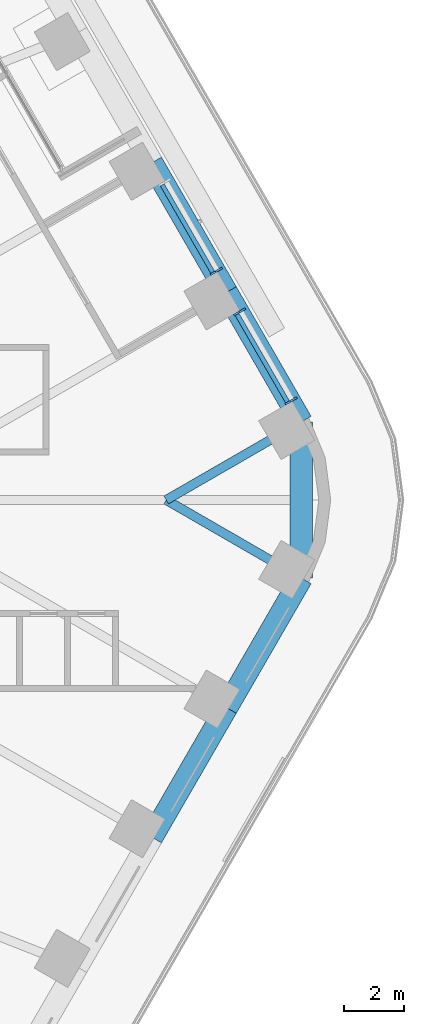
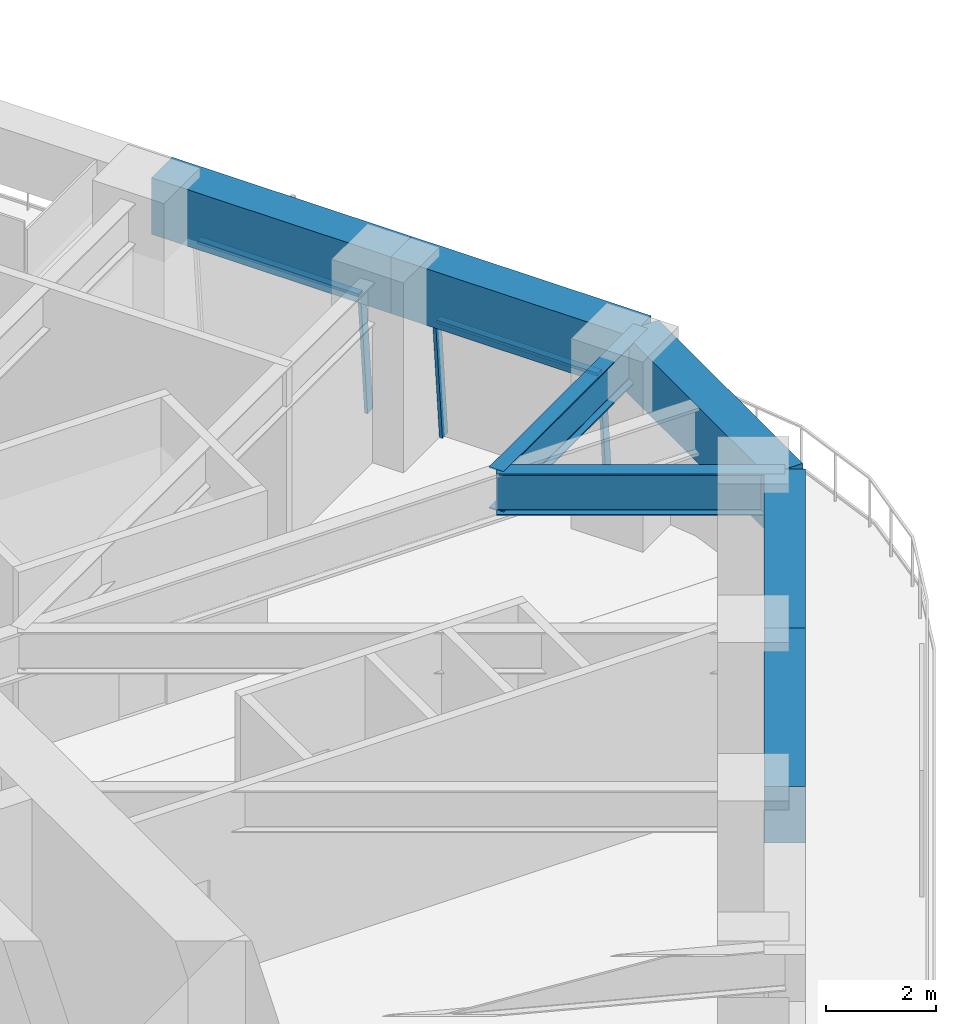
# One storey, part 14 of 24: 7 beams, 5 members, 2 elements without a shape of their own.
"""IFC4 building model written with IfcOpenShell, lengths in metres."""

from ifc_helpers import new_model, si_unit, direction, frame, origin, origin_2d, place, context, subcontext, project, spatial, rectangle, i_section, extrude, material, material_profile, profile_set, type_object, element, aggregate, save


model = new_model("IFC4")

# Units and contexts
model_context = context("Model", 3, precision=1e-05, world=origin(), true_north=direction((0.0, 1.0)))
body_context = subcontext(model_context, "Body", "Model", "MODEL_VIEW")
ifc_project = project(units=[si_unit("LENGTHUNIT", "METRE"), si_unit("AREAUNIT", "SQUARE_METRE"), si_unit("VOLUMEUNIT", "CUBIC_METRE"), si_unit("PLANEANGLEUNIT", "RADIAN"), si_unit("MASSUNIT", "GRAM", prefix="KILO")], contexts=[model_context])

# Site, building, storey
site_placement = place(None, origin())
site = spatial("IfcSite", under=ifc_project, at=site_placement, CompositionType="ELEMENT")
building_placement = place(site_placement, origin())
building = spatial("IfcBuilding", under=site, at=building_placement, Name="Tarfa Lantern Tower", CompositionType="ELEMENT")
storey_placement = place(building_placement, frame((0.0, 0.0, 195.10009765625)))
storey = spatial("IfcBuildingStorey", under=building, at=storey_placement, Name="L44", CompositionType="ELEMENT", Elevation=195.10009765625)

# Curtain wall, members
ifc_material_1 = material(Name="Aluminium framed curtain wall", Category="aluminium")
curtain_wall_type = type_object("IfcCurtainWallType", Name="CW2 CANTED GLAZING MID ZONE 2750", PredefinedType="USERDEFINED", material=ifc_material_1)
curtain_wall_1_placement = place(storey_placement, origin())
curtain_wall_1 = element("IfcCurtainWall", 1, at=curtain_wall_1_placement, inside=storey, type_object=curtain_wall_type, Name="CW2 NE L44", ObjectType="CURTAIN WALL", PredefinedType="USERDEFINED")
ifc_material_2 = material(Name="Aluminium mullion", Category="aluminium")
ifc_material_profile_1 = material_profile(ifc_material_2, rectangle(XDim=0.06494140625, YDim=0.199951171875, at=origin_2d()), Name="AL MULLION 65x200")
ifc_profile_set_1 = profile_set([ifc_material_profile_1], Name="Aluminium mullion")
member_type_1 = type_object("IfcMemberType", Name="CWM1 MULLION 65x200", PredefinedType="MULLION", material=ifc_profile_set_1)
member_1_placement = place(storey_placement, frame((34.3076171875, 3.377685546875, 0.0), z_axis=(-0.078422950161, -0.045267813396, 0.995891894715), x_axis=(0.499919672301, -0.866071776036, 0.0)))
member_1 = element("IfcMember", 2, at=member_1_placement, type_object=member_type_1, Name="CW2 mullion 1", PredefinedType="MULLION", context=body_context, shape_type="SweptSolid", body=[
    extrude(rectangle(XDim=0.06494140625, YDim=0.199951171875, at=origin_2d()), origin(), (0.0, 0.0, 1.0), 2.76123046875),
])
member_2_placement = place(storey_placement, frame((32.588134765625, 6.355712890625, 0.0), z_axis=(-0.078422950161, -0.045267813396, 0.995891894715), x_axis=(0.499919672301, -0.866071776036, 0.0)))
member_2 = element("IfcMember", 3, at=member_2_placement, type_object=member_type_1, Name="CW2 mullion 2", PredefinedType="MULLION", context=body_context, shape_type="SweptSolid", body=[
    extrude(rectangle(XDim=0.06494140625, YDim=0.199951171875, at=origin_2d()), origin(), (0.0, 0.0, 1.0), 2.76123046875),
])

# Curtain wall, member
curtain_wall_2_placement = place(storey_placement, origin())
curtain_wall_2 = element("IfcCurtainWall", 4, at=curtain_wall_2_placement, inside=storey, type_object=curtain_wall_type, Name="CW2 NE L44", ObjectType="CURTAIN WALL", PredefinedType="USERDEFINED")
member_3_placement = place(storey_placement, frame((31.8056640625, 7.7109375, 0.0), z_axis=(-0.078422950161, -0.045267813396, 0.995891894715), x_axis=(0.499919672301, -0.866071776036, 0.0)))
member_3 = element("IfcMember", 5, at=member_3_placement, type_object=member_type_1, Name="CW2 mullion 1", PredefinedType="MULLION", context=body_context, shape_type="SweptSolid", body=[
    extrude(rectangle(XDim=0.06494140625, YDim=0.199951171875, at=origin_2d()), origin(), (0.0, 0.0, 1.0), 2.76123046875),
])

# Member
ifc_material_3 = material(Name="Aluminium transom", Category="aluminium")
ifc_material_profile_2 = material_profile(ifc_material_3, rectangle(XDim=0.14990234375, YDim=0.06494140625, at=origin_2d()), Name="AL TRANSOM 150x65")
ifc_profile_set_2 = profile_set([ifc_material_profile_2], Name="Aluminium transom")
member_type_2 = type_object("IfcMemberType", Name="CWT1 TRANSOM 150x65", PredefinedType="USERDEFINED", material=ifc_profile_set_2)
member_4_placement = place(storey_placement, frame((34.077392578125, 3.2822265625, 2.71728515625), z_axis=(-0.500014760403, 0.866016881694, 0.0), x_axis=(-0.866016881694, -0.500014760403, 0.0)))
member_4 = element("IfcMember", 6, at=member_4_placement, type_object=member_type_2, Name="CW2 transom 1.2", ObjectType="TRANSOM", PredefinedType="USERDEFINED", context=body_context, shape_type="SweptSolid", body=[
    extrude(rectangle(XDim=0.14990234375, YDim=0.06494140625, at=origin_2d()), origin(), (0.0, 0.0, 1.0), 3.3740234375),
])

aggregate(curtain_wall_1, [member_1, member_2, member_4])

member_5_placement = place(storey_placement, frame((31.575439453125, 7.61572265625, 2.71728515625), z_axis=(-0.499991822116, 0.866030125237, 0.0), x_axis=(-0.866030125237, -0.499991822116, 0.0)))
member_5 = element("IfcMember", 7, at=member_5_placement, type_object=member_type_2, Name="CW2 transom 1.2", ObjectType="TRANSOM", PredefinedType="USERDEFINED", context=body_context, shape_type="SweptSolid", body=[
    extrude(rectangle(XDim=0.14990234375, YDim=0.06494140625, at=origin_2d()), origin(), (0.0, 0.0, 1.0), 3.37353515625),
])

aggregate(curtain_wall_2, [member_3, member_5])

# Beams
ifc_material_4 = material(Name="Concrete C80/95", Category="concrete")
ifc_material_profile_3 = material_profile(ifc_material_4, rectangle(XDim=0.75, YDim=1.25, at=origin_2d()), Name="RC 750x1250")
ifc_profile_set_3 = profile_set([ifc_material_profile_3], Name="Concrete C80/95")
beam_type_1 = type_object("IfcBeamType", Name="EB2 RC 750x1250", PredefinedType="SPANDREL", material=ifc_profile_set_3)
for number, where, z_axis, x_axis, name in (
    (8, (34.54296875, 2.610107421875, 3.375), (-0.500022324899, 0.866012514114, 0.0), (-0.866012514114, -0.500022324899, 0.0), "Edge beam NE0"),
    (9, (32.041015625, 6.943359375, 3.375), (-0.500022324899, 0.866012514114, 0.0), (-0.866012514114, -0.500022324899, 0.0), "Edge beam NE1"),
    (10, (29.5390625, -11.276611328125, 3.375), (0.500022324899, 0.866012514114, 0.0), (-0.866012514114, 0.500022324899, 0.0), "Edge beam SE4"),
    (11, (32.041015625, -6.943359375, 3.375), (0.500022324899, 0.866012514114, 0.0), (-0.866012514114, 0.500022324899, 0.0), "Edge beam SE5"),
):
    element("IfcBeam", number, at=place(storey_placement, frame(where, z_axis=z_axis, x_axis=x_axis)), inside=storey, type_object=beam_type_1, Name=name, PredefinedType="SPANDREL", context=body_context, shape_type="SweptSolid", body=[
        extrude(rectangle(XDim=0.75, YDim=1.25, at=origin_2d()), origin(), (0.0, 0.0, 1.0), 5.003662109375),
    ])
beam_placement = place(storey_placement, frame((34.54296875, -2.610107421875, 3.375), z_axis=(0.0, 1.0, 0.0), x_axis=(-1.0, 0.0, 0.0)))
element("IfcBeam", 12, at=beam_placement, inside=storey, type_object=beam_type_1, Name="Edge beam SE6", PredefinedType="SPANDREL", context=body_context, shape_type="SweptSolid", body=[
    extrude(rectangle(XDim=0.75, YDim=1.25, at=origin_2d()), origin(), (0.0, 0.0, 1.0), 5.22021484375),
])
ifc_material_5 = material(Name="Steel S460M", Category="steel")
ifc_material_profile_4 = material_profile(ifc_material_5, i_section(OverallWidth=0.305419921875, OverallDepth=0.91845703125, WebThickness=0.017333984375, FlangeThickness=0.02783203125, FilletRadius=0.01904296875, at=origin_2d()), Name="UB914x305x253")
ifc_profile_set_4 = profile_set([ifc_material_profile_4], Name="Steel S460M")
beam_type_2 = type_object("IfcBeamType", Name="UB914x305x253", PredefinedType="BEAM", material=ifc_profile_set_4)
for number, where, z_axis, x_axis, name in (
    (13, (34.54296875, 2.610107421875, 3.540771484375), (-0.866021250859, -0.500007193008, 0.0), (0.500007193008, -0.866021250859, 0.0), "Floor beam NE0"),
    (14, (34.54296875, -2.610107421875, 3.540771484375), (-0.866021250859, 0.500007193008, 0.0), (-0.500007193008, -0.866021250859, 0.0), "Floor beam SE6"),
):
    element("IfcBeam", number, at=place(storey_placement, frame(where, z_axis=z_axis, x_axis=x_axis)), inside=storey, type_object=beam_type_2, Name=name, PredefinedType="BEAM", context=body_context, shape_type="SweptSolid", body=[
        extrude(i_section(OverallWidth=0.305419921875, OverallDepth=0.91845703125, WebThickness=0.017333984375, FlangeThickness=0.02783203125, FilletRadius=0.01904296875, at=origin_2d()), origin(), (0.0, 0.0, 1.0), 5.22021484375),
    ])

save(model, "model.ifc")
